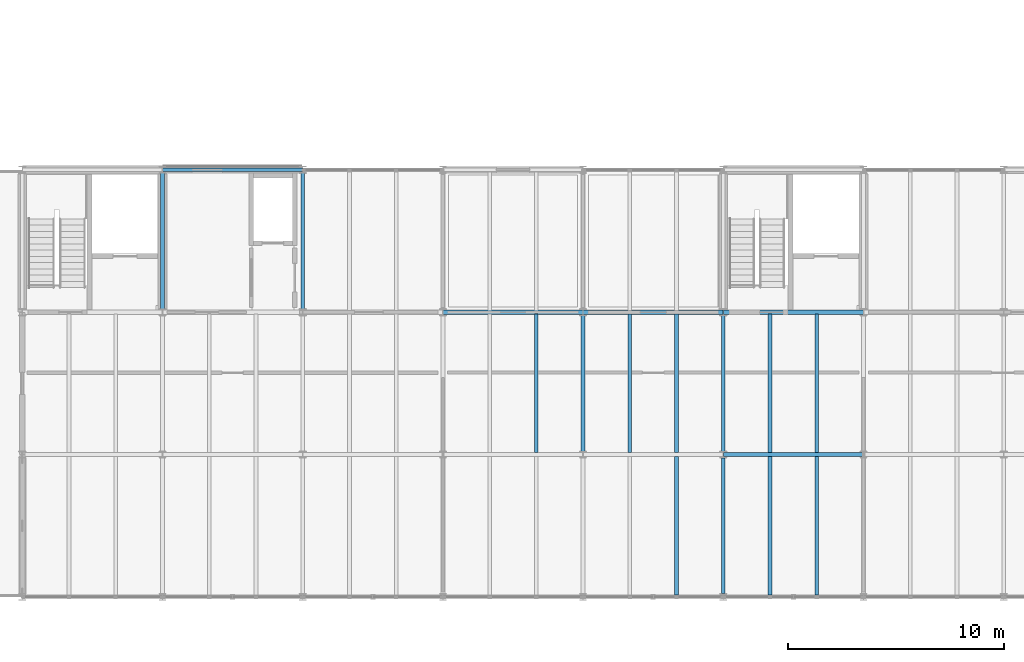
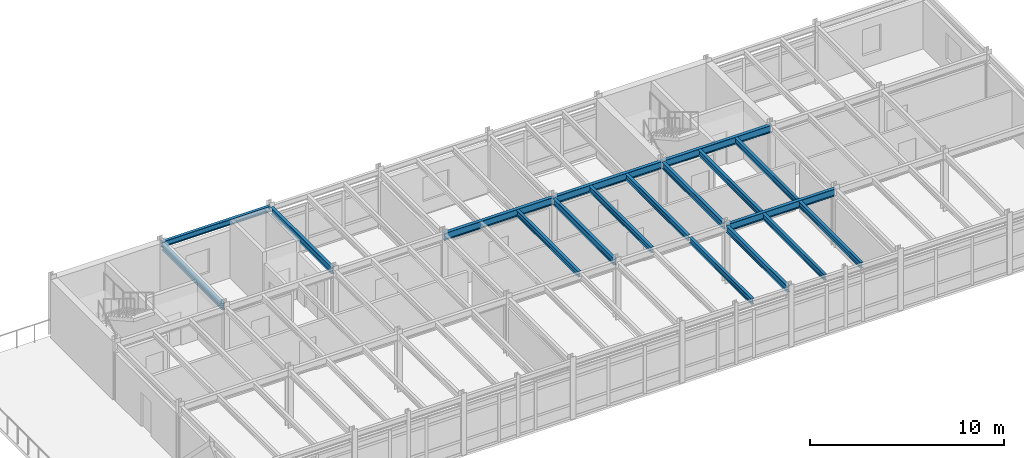
# One storey, part 21 of 57: 18 beams.
"""IFC4 building model written with IfcOpenShell, lengths in metres."""

from ifc_helpers import new_model, si_unit, direction, frame, origin, origin_2d, place, context, subcontext, project, spatial, i_section, extrude, material, material_profile, profile_set, type_object, element, save


model = new_model("IFC4")

# Units and contexts
model_context = context("Model", 3, precision=1e-05, world=origin(), true_north=direction((0.0, 1.0)))
body_context = subcontext(model_context, "Body", "Model", "MODEL_VIEW")
ifc_project = project(units=[si_unit("LENGTHUNIT", "METRE"), si_unit("AREAUNIT", "SQUARE_METRE"), si_unit("VOLUMEUNIT", "CUBIC_METRE"), si_unit("PLANEANGLEUNIT", "RADIAN"), si_unit("MASSUNIT", "GRAM", prefix="KILO")], contexts=[model_context])

# Site, building, storey
site_placement = place(None, origin())
site = spatial("IfcSite", under=ifc_project, at=site_placement, CompositionType="ELEMENT")
building_placement = place(site_placement, origin())
building = spatial("IfcBuilding", under=site, at=building_placement, Name="Trelmorton Wharf Fire Station", CompositionType="ELEMENT")
storey_placement = place(building_placement, frame((0.0, 0.0, 13.5)))
storey = spatial("IfcBuildingStorey", under=building, at=storey_placement, Name="L03", CompositionType="ELEMENT", Elevation=13.5)

# Beams
ifc_material = material(Name="Steel Grade 350", Category="steel")
ifc_material_profile_1 = material_profile(ifc_material, i_section(OverallWidth=0.177978515625, OverallDepth=0.406005859375, WebThickness=0.0078125, FlangeThickness=0.0126953125, FilletRadius=0.011474609375, at=origin_2d()), Name="410UB59.7")
ifc_profile_set_1 = profile_set([ifc_material_profile_1], Name="Steel Grade 350")
beam_type_1 = type_object("IfcBeamType", Name="BM_410UB60", PredefinedType="BEAM", material=ifc_profile_set_1)
for number, where, z_axis, x_axis, name in (
    (1, (117.0, 21.153564453125, 3.427001953125), (0.0, 1.0, 0.0), (-1.0, 0.0, 0.0), "BM-L03-0991"),
    (2, (123.5, 21.153564453125, 3.427001953125), (0.0, 1.0, 0.0), (-1.0, 0.0, 0.0), "BM-L03-0997"),
    (3, (136.5, 14.553466796875, 3.427001953125), (0.0, 1.0, 0.0), (-1.0, 0.0, 0.0), "BM-L03-1008"),
    (4, (143.0, 7.95361328125, 3.427001953125), (0.0, 1.0, 0.0), (-1.0, 0.0, 0.0), "BM-L03-1013"),
    (5, (143.0, 14.553466796875, 3.427001953125), (0.0, 1.0, 0.0), (-1.0, 0.0, 0.0), "BM-L03-1014"),
):
    element("IfcBeam", number, at=place(storey_placement, frame(where, z_axis=z_axis, x_axis=x_axis)), inside=storey, type_object=beam_type_1, Name=name, PredefinedType="BEAM", context=body_context, shape_type="SweptSolid", body=[
        extrude(i_section(OverallWidth=0.177978515625, OverallDepth=0.406005859375, WebThickness=0.0078125, FlangeThickness=0.0126953125, FilletRadius=0.011474609375, at=origin_2d()), origin(), (0.0, 0.0, 1.0), 6.29296875),
    ])
ifc_material_profile_2 = material_profile(ifc_material, i_section(OverallWidth=0.18994140625, OverallDepth=0.45703125, WebThickness=0.009033203125, FlangeThickness=0.014404296875, FilletRadius=0.011474609375, at=origin_2d()), Name="460UB74.6")
ifc_profile_set_2 = profile_set([ifc_material_profile_2], Name="Steel Grade 350")
beam_type_2 = type_object("IfcBeamType", Name="BM_460UB75", PredefinedType="BEAM", material=ifc_profile_set_2)
for number, where, z_axis, x_axis, name in (
    (6, (143.00390625, 14.39990234375, 3.401611328125), (1.0, 0.0, 0.0), (0.0, 1.0, 0.0), "BM-L03-0890"),
    (7, (130.00390625, 21.0, 3.401611328125), (1.0, 0.0, 0.0), (0.0, 1.0, 0.0), "BM-L03-0900"),
    (8, (136.50390625, 21.0, 3.401611328125), (1.0, 0.0, 0.0), (0.0, 1.0, 0.0), "BM-L03-0901"),
    (9, (143.00390625, 21.0, 3.401611328125), (1.0, 0.0, 0.0), (0.0, 1.0, 0.0), "BM-L03-0902"),
):
    element("IfcBeam", number, at=place(storey_placement, frame(where, z_axis=z_axis, x_axis=x_axis)), inside=storey, type_object=beam_type_2, Name=name, PredefinedType="BEAM", context=body_context, shape_type="SweptSolid", body=[
        extrude(i_section(OverallWidth=0.18994140625, OverallDepth=0.45703125, WebThickness=0.009033203125, FlangeThickness=0.014404296875, FilletRadius=0.011474609375, at=origin_2d()), origin(), (0.0, 0.0, 1.0), 6.4921875),
    ])
ifc_material_profile_3 = material_profile(ifc_material, i_section(OverallWidth=0.172119140625, OverallDepth=0.35888671875, WebThickness=0.008056640625, FlangeThickness=0.012939453125, FilletRadius=0.011474609375, at=origin_2d()), Name="360UB56.7")
ifc_profile_set_3 = profile_set([ifc_material_profile_3], Name="Steel Grade 350")
beam_type_3 = type_object("IfcBeamType", Name="JS_360UB57", PredefinedType="JOIST", material=ifc_profile_set_3)
beam_1_placement = place(storey_placement, frame((134.333251953125, 14.489990234375, 3.450439453125), z_axis=(0.0, 1.0, 0.0), x_axis=(-1.0, 0.0, 0.0)))
element("IfcBeam", 10, at=beam_1_placement, inside=storey, type_object=beam_type_3, Name="JS-L03-0362", PredefinedType="JOIST", context=body_context, shape_type="SweptSolid", body=[
    extrude(i_section(OverallWidth=0.172119140625, OverallDepth=0.35888671875, WebThickness=0.008056640625, FlangeThickness=0.012939453125, FilletRadius=0.011474609375, at=origin_2d()), origin(), (0.0, 0.0, 1.0), 6.419921875),
])
beam_2_placement = place(storey_placement, frame((140.833251953125, 7.889892578125, 3.450439453125), z_axis=(0.0, 1.0, 0.0), x_axis=(-1.0, 0.0, 0.0)))
element("IfcBeam", 11, at=beam_2_placement, inside=storey, type_object=beam_type_3, Name="JS-L03-0366", PredefinedType="JOIST", context=body_context, shape_type="SweptSolid", body=[
    extrude(i_section(OverallWidth=0.172119140625, OverallDepth=0.35888671875, WebThickness=0.008056640625, FlangeThickness=0.012939453125, FilletRadius=0.011474609375, at=origin_2d()), origin(), (0.0, 0.0, 1.0), 6.420166015625),
])
for number, where, z_axis, x_axis, name in (
    (12, (138.666748046875, 14.489990234375, 3.450439453125), (0.0, 1.0, 0.0), (-1.0, 0.0, 0.0), "JS-L03-0367"),
    (13, (140.833251953125, 14.489990234375, 3.450439453125), (0.0, 1.0, 0.0), (-1.0, 0.0, 0.0), "JS-L03-0368"),
):
    element("IfcBeam", number, at=place(storey_placement, frame(where, z_axis=z_axis, x_axis=x_axis)), inside=storey, type_object=beam_type_3, Name=name, PredefinedType="JOIST", context=body_context, shape_type="SweptSolid", body=[
        extrude(i_section(OverallWidth=0.172119140625, OverallDepth=0.35888671875, WebThickness=0.008056640625, FlangeThickness=0.012939453125, FilletRadius=0.011474609375, at=origin_2d()), origin(), (0.0, 0.0, 1.0), 6.419921875),
    ])
for number, where, z_axis, x_axis, name in (
    (14, (145.166748046875, 7.889892578125, 3.450439453125), (0.0, 1.0, 0.0), (-1.0, 0.0, 0.0), "JS-L03-0371"),
    (15, (147.333251953125, 7.889892578125, 3.450439453125), (0.0, 1.0, 0.0), (-1.0, 0.0, 0.0), "JS-L03-0372"),
):
    element("IfcBeam", number, at=place(storey_placement, frame(where, z_axis=z_axis, x_axis=x_axis)), inside=storey, type_object=beam_type_3, Name=name, PredefinedType="JOIST", context=body_context, shape_type="SweptSolid", body=[
        extrude(i_section(OverallWidth=0.172119140625, OverallDepth=0.35888671875, WebThickness=0.008056640625, FlangeThickness=0.012939453125, FilletRadius=0.011474609375, at=origin_2d()), origin(), (0.0, 0.0, 1.0), 6.420166015625),
    ])
for number, where, z_axis, x_axis, name in (
    (16, (145.166748046875, 14.489990234375, 3.450439453125), (0.0, 1.0, 0.0), (-1.0, 0.0, 0.0), "JS-L03-0373"),
    (17, (147.333251953125, 14.489990234375, 3.450439453125), (0.0, 1.0, 0.0), (-1.0, 0.0, 0.0), "JS-L03-0374"),
):
    element("IfcBeam", number, at=place(storey_placement, frame(where, z_axis=z_axis, x_axis=x_axis)), inside=storey, type_object=beam_type_3, Name=name, PredefinedType="JOIST", context=body_context, shape_type="SweptSolid", body=[
        extrude(i_section(OverallWidth=0.172119140625, OverallDepth=0.35888671875, WebThickness=0.008056640625, FlangeThickness=0.012939453125, FilletRadius=0.011474609375, at=origin_2d()), origin(), (0.0, 0.0, 1.0), 6.419921875),
    ])
ifc_material_profile_4 = material_profile(ifc_material, i_section(OverallWidth=0.1708984375, OverallDepth=0.35595703125, WebThickness=0.00732421875, FlangeThickness=0.011474609375, FilletRadius=0.011474609375, at=origin_2d()), Name="360UB50.7")
ifc_profile_set_4 = profile_set([ifc_material_profile_4], Name="Steel Grade 350")
beam_type_4 = type_object("IfcBeamType", Name="SP_360UB51", PredefinedType="SPANDREL", material=ifc_profile_set_4)
beam_3_placement = place(storey_placement, frame((117.00390625, 27.60009765625, 3.451904296875), z_axis=(1.0, 0.0, 0.0), x_axis=(0.0, 1.0, 0.0)))
element("IfcBeam", 18, at=beam_3_placement, inside=storey, type_object=beam_type_4, Name="BM-L03-0910", PredefinedType="SPANDREL", context=body_context, shape_type="SweptSolid", body=[
    extrude(i_section(OverallWidth=0.1708984375, OverallDepth=0.35595703125, WebThickness=0.00732421875, FlangeThickness=0.011474609375, FilletRadius=0.011474609375, at=origin_2d()), origin(), (0.0, 0.0, 1.0), 6.4921875),
])

save(model, "model.ifc")
